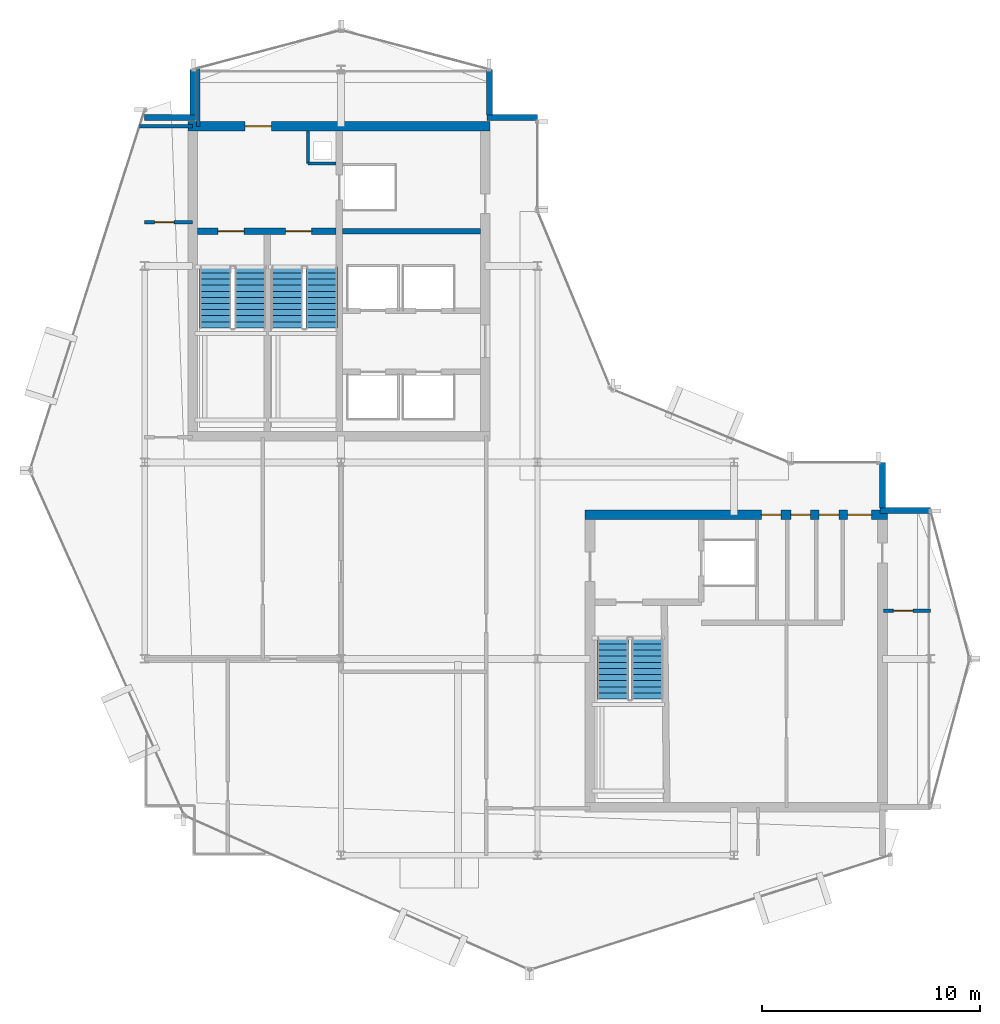
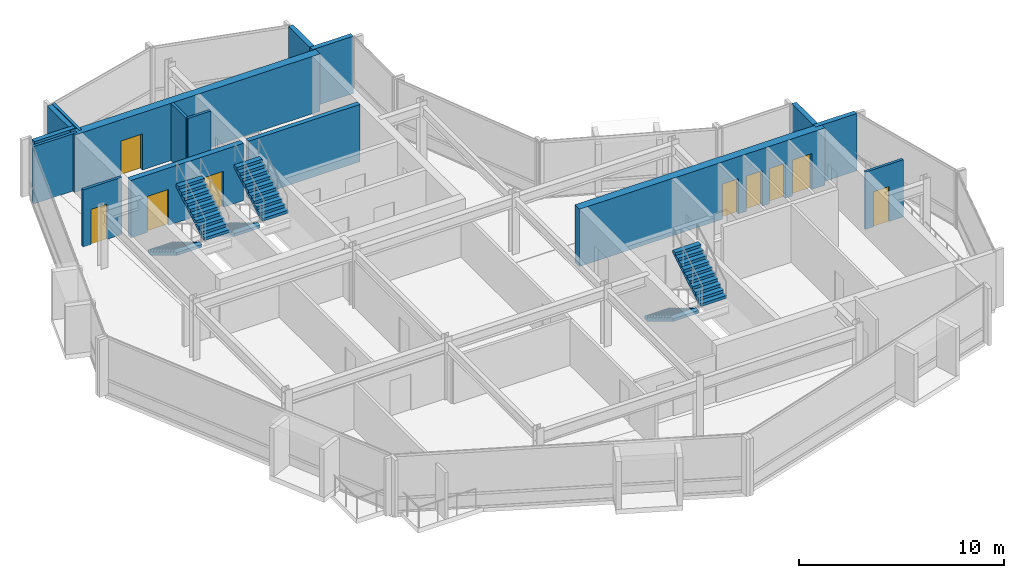
# One storey, part 15 of 19: 16 walls, 9 doors, 6 stair flights, 9 openings, 3 elements without a shape of their own.
"""IFC4 building model written with IfcOpenShell, lengths in metres."""

from ifc_helpers import new_model, si_unit, direction, frame, frame_2d, origin, place, context, subcontext, project, spatial, polyline, rectangle, outline, extrude, material, layer, layer_set, type_object, element, fill, aggregate, save


model = new_model("IFC4")

# Units and contexts
model_context = context("Model", 3, precision=1e-05, world=origin(), true_north=direction((0.0, 1.0)))
body_context = subcontext(model_context, "Body", "Model", "MODEL_VIEW")
ifc_project = project(units=[si_unit("LENGTHUNIT", "METRE"), si_unit("AREAUNIT", "SQUARE_METRE"), si_unit("VOLUMEUNIT", "CUBIC_METRE"), si_unit("PLANEANGLEUNIT", "RADIAN"), si_unit("MASSUNIT", "GRAM", prefix="KILO")], contexts=[model_context])

# Site, building, storey
site_placement = place(None, origin())
site = spatial("IfcSite", under=ifc_project, at=site_placement, CompositionType="ELEMENT")
building_placement = place(site_placement, origin())
building = spatial("IfcBuilding", under=site, at=building_placement, Name="Solvaryn Broadcast Tower", CompositionType="ELEMENT")
storey_placement = place(building_placement, frame((0.0, 0.0, 274.10009765625)))
storey = spatial("IfcBuildingStorey", under=building, at=storey_placement, Name="L69", CompositionType="ELEMENT", Elevation=274.10009765625)

# Wall, opening, door
ifc_material_1 = material(Name="Concrete f'c 70 MPa", Category="concrete")
ifc_layer_1 = layer(ifc_material_1, 0.449951171875)
ifc_layer_set_1 = layer_set([ifc_layer_1], Name="CW-SHEAR-450")
wall_type_1 = type_object("IfcWallType", Name="CW-SHEAR-450", PredefinedType="SHEAR", material=ifc_layer_set_1)
wall_1_placement = place(storey_placement, frame((24.824951171875, 42.39990234375, 0.0), z_axis=(0.0, 0.0, 1.0), x_axis=(-1.0, 0.0, 0.0)))
wall_1 = element("IfcWall", 1, at=wall_1_placement, inside=storey, type_object=wall_type_1, Name="L69 West Core North Shear Wall", PredefinedType="SHEAR", context=body_context, shape_type="SweptSolid", body=[
    extrude(rectangle(XDim=13.849853515625, YDim=0.449951171875, at=frame_2d((6.9248046875, 0.0))), origin(), (0.0, 0.0, 1.0), 3.419921875),
])
opening_1_placement = place(wall_1_placement, frame((10.02490234375, 0.0, 0.0)))
opening_1 = element("IfcOpeningElement", 2, at=opening_1_placement, cuts=wall_1, Name="Opening FD90A", PredefinedType="OPENING", context=body_context, shape_type="SweptSolid", body=[
    extrude(rectangle(XDim=1.199951171875, YDim=2.14990234375, at=frame_2d((0.60009765625, 1.074951171875))), frame((0.0, 0.235107421875, 0.0), z_axis=(0.0, -1.0, 0.0), x_axis=(1.0, 0.0, 0.0)), (0.0, 0.0, 1.0), 0.469970703125),
])
ifc_material_2 = material(Name="Flush Acoustic Steel and Timber Door Assembly", Category="steel")
door_type_1 = type_object("IfcDoorType", Name="FD90-STAIR-1200X2150", OperationType="NOTDEFINED", PredefinedType="DOOR", material=ifc_material_2)
door_1_placement = place(opening_1_placement, origin())
door_1 = element("IfcDoor", 3, at=door_1_placement, inside=storey, type_object=door_type_1, Name="L69 West FSAE Lobby Corridor Door", OperationType="SINGLE_SWING_LEFT", OverallHeight=2.14990234375, OverallWidth=1.199951171875, PredefinedType="DOOR", context=body_context, shape_type="SweptSolid", body=[
    extrude(rectangle(XDim=1.199951171875, YDim=2.14990234375, at=frame_2d((0.60009765625, 1.074951171875))), frame((0.0, 0.02490234375, 0.0), z_axis=(0.0, -1.0, 0.0), x_axis=(1.0, 0.0, 0.0)), (0.0, 0.0, 1.0), 0.050048828125),
])
fill(opening_1, door_1)

# Wall, openings, doors
wall_2_placement = place(storey_placement, frame((43.02490234375, 24.60009765625, 0.0), z_axis=(0.0, 0.0, 1.0), x_axis=(-1.0, 0.0, 0.0)))
wall_2 = element("IfcWall", 4, at=wall_2_placement, inside=storey, type_object=wall_type_1, Name="L69 East Core North Shear Wall", PredefinedType="SHEAR", context=body_context, shape_type="SweptSolid", body=[
    extrude(rectangle(XDim=13.849853515625, YDim=0.449951171875, at=frame_2d((6.9248046875, 0.0))), origin(), (0.0, 0.0, 1.0), 3.419921875),
])
opening_2_placement = place(wall_2_placement, frame((0.72509765625, 0.0, 0.0)))
opening_2 = element("IfcOpeningElement", 5, at=opening_2_placement, cuts=wall_2, Name="Opening FD90C", PredefinedType="OPENING", context=body_context, shape_type="SweptSolid", body=[
    extrude(rectangle(XDim=1.10009765625, YDim=2.14990234375, at=frame_2d((0.550048828125, 1.074951171875))), frame((0.0, 0.235107421875, 0.0), z_axis=(0.0, -1.0, 0.0), x_axis=(1.0, 0.0, 0.0)), (0.0, 0.0, 1.0), 0.469970703125),
])
opening_3_placement = place(wall_2_placement, frame((2.22509765625, 0.0, 0.0)))
opening_3 = element("IfcOpeningElement", 6, at=opening_3_placement, cuts=wall_2, Name="Opening FD60C", PredefinedType="OPENING", context=body_context, shape_type="SweptSolid", body=[
    extrude(rectangle(XDim=0.89990234375, YDim=2.10009765625, at=frame_2d((0.449951171875, 1.050048828125))), frame((0.0, 0.235107421875, 0.0), z_axis=(0.0, -1.0, 0.0), x_axis=(1.0, 0.0, 0.0)), (0.0, 0.0, 1.0), 0.469970703125),
])
opening_4_placement = place(wall_2_placement, frame((3.52490234375, 0.0, 0.0)))
opening_4 = element("IfcOpeningElement", 7, at=opening_4_placement, cuts=wall_2, Name="Opening FD60C", PredefinedType="OPENING", context=body_context, shape_type="SweptSolid", body=[
    extrude(rectangle(XDim=0.89990234375, YDim=2.10009765625, at=frame_2d((0.449951171875, 1.050048828125))), frame((0.0, 0.235107421875, 0.0), z_axis=(0.0, -1.0, 0.0), x_axis=(1.0, 0.0, 0.0)), (0.0, 0.0, 1.0), 0.469970703125),
])
opening_5_placement = place(wall_2_placement, frame((4.875, 0.0, 0.0)))
opening_5 = element("IfcOpeningElement", 8, at=opening_5_placement, cuts=wall_2, Name="Opening FD60C", PredefinedType="OPENING", context=body_context, shape_type="SweptSolid", body=[
    extrude(rectangle(XDim=0.89990234375, YDim=2.10009765625, at=frame_2d((0.449951171875, 1.050048828125))), frame((0.0, 0.235107421875, 0.0), z_axis=(0.0, -1.0, 0.0), x_axis=(1.0, 0.0, 0.0)), (0.0, 0.0, 1.0), 0.469970703125),
])
ifc_material_3 = material(Name="Flush Acoustic Steel and Timber Door Assembly", Category="steel")
door_type_2 = type_object("IfcDoorType", Name="FD60-SERV-900X2100", OperationType="NOTDEFINED", PredefinedType="DOOR", material=ifc_material_3)
door_2_placement = place(opening_3_placement, origin())
door_2 = element("IfcDoor", 9, at=door_2_placement, inside=storey, type_object=door_type_2, Name="L69 Core Wellness Room Door", OperationType="SINGLE_SWING_RIGHT", OverallHeight=2.10009765625, OverallWidth=0.89990234375, PredefinedType="DOOR", context=body_context, shape_type="SweptSolid", body=[
    extrude(rectangle(XDim=0.89990234375, YDim=2.10009765625, at=frame_2d((0.449951171875, 1.050048828125))), frame((0.0, 0.02490234375, 0.0), z_axis=(0.0, -1.0, 0.0), x_axis=(1.0, 0.0, 0.0)), (0.0, 0.0, 1.0), 0.050048828125),
])
fill(opening_3, door_2)
door_3_placement = place(opening_4_placement, origin())
door_3 = element("IfcDoor", 10, at=door_3_placement, inside=storey, type_object=door_type_2, Name="L69 Staff Restroom Door", OperationType="SINGLE_SWING_LEFT", OverallHeight=2.10009765625, OverallWidth=0.89990234375, PredefinedType="DOOR", context=body_context, shape_type="SweptSolid", body=[
    extrude(rectangle(XDim=0.89990234375, YDim=2.10009765625, at=frame_2d((0.449951171875, 1.050048828125))), frame((0.0, 0.02490234375, 0.0), z_axis=(0.0, -1.0, 0.0), x_axis=(1.0, 0.0, 0.0)), (0.0, 0.0, 1.0), 0.050048828125),
])
fill(opening_4, door_3)
door_4_placement = place(opening_5_placement, origin())
door_4 = element("IfcDoor", 11, at=door_4_placement, inside=storey, type_object=door_type_2, Name="L69 Accessible WC Door", OperationType="SINGLE_SWING_RIGHT", OverallHeight=2.10009765625, OverallWidth=0.89990234375, PredefinedType="DOOR", context=body_context, shape_type="SweptSolid", body=[
    extrude(rectangle(XDim=0.89990234375, YDim=2.10009765625, at=frame_2d((0.449951171875, 1.050048828125))), frame((0.0, 0.02490234375, 0.0), z_axis=(0.0, -1.0, 0.0), x_axis=(1.0, 0.0, 0.0)), (0.0, 0.0, 1.0), 0.050048828125),
])
fill(opening_5, door_4)
ifc_material_4 = material(Name="Flush Acoustic Steel and Timber Door Assembly", Category="steel")
door_type_3 = type_object("IfcDoorType", Name="FD90-PLANT-1100X2150", OperationType="NOTDEFINED", PredefinedType="DOOR", material=ifc_material_4)
door_5_placement = place(opening_2_placement, origin())
door_5 = element("IfcDoor", 12, at=door_5_placement, inside=storey, type_object=door_type_3, Name="L69 East Core Lobby Corridor Door", OperationType="SINGLE_SWING_LEFT", OverallHeight=2.14990234375, OverallWidth=1.10009765625, PredefinedType="DOOR", context=body_context, shape_type="SweptSolid", body=[
    extrude(rectangle(XDim=1.10009765625, YDim=2.14990234375, at=frame_2d((0.550048828125, 1.074951171875))), frame((0.0, 0.02490234375, 0.0), z_axis=(0.0, -1.0, 0.0), x_axis=(1.0, 0.0, 0.0)), (0.0, 0.0, 1.0), 0.050048828125),
])
fill(opening_2, door_5)

# Walls
ifc_material_5 = material(Name="Concrete f'c 50 MPa", Category="concrete")
ifc_layer_2 = layer(ifc_material_5, 0.260009765625)
ifc_layer_set_2 = layer_set([ifc_layer_2], Name="EW-PIER-260")
wall_type_2 = type_object("IfcWallType", Name="EW-PIER-260", PredefinedType="SOLIDWALL", material=ifc_layer_set_2)
wall_3_placement = place(storey_placement, frame((9.0, 42.800048828125, 0.0), z_axis=(0.0, 0.0, 1.0), x_axis=(1.0, 0.0, 0.0)))
element("IfcWall", 13, at=wall_3_placement, inside=storey, type_object=wall_type_2, Name="L69 Notched Corner Pier Wall NNW1", PredefinedType="SOLIDWALL", context=body_context, shape_type="SweptSolid", body=[
    extrude(rectangle(XDim=2.320068359375, YDim=0.260009765625, at=frame_2d((1.16015625, 0.0))), origin(), (0.0, 0.0, 1.0), 3.419921875),
])
for number, where, z_axis, x_axis, name in (
    (14, (11.199951171875, 42.919921875, 0.0), (0.0, 0.0, 1.0), (0.0, 1.0, 0.0), "L69 Notched Corner Pier Wall NNW2"),
    (15, (24.800048828125, 45.0, 0.0), (0.0, 0.0, 1.0), (0.0, -1.0, 0.0), "L69 Notched Corner Pier Wall NNE1"),
):
    element("IfcWall", number, at=place(storey_placement, frame(where, z_axis=z_axis, x_axis=x_axis)), inside=storey, type_object=wall_type_2, Name=name, PredefinedType="SOLIDWALL", context=body_context, shape_type="SweptSolid", body=[
        extrude(rectangle(XDim=2.080078125, YDim=0.260009765625, at=frame_2d((1.0400390625, 0.0))), origin(), (0.0, 0.0, 1.0), 3.419921875),
    ])
for number, where, z_axis, x_axis, name in (
    (16, (24.679931640625, 42.800048828125, 0.0), (0.0, 0.0, 1.0), (1.0, 0.0, 0.0), "L69 Notched Corner Pier Wall NNE2"),
    (17, (45.0, 24.800048828125, 0.0), (0.0, 0.0, 1.0), (-1.0, 0.0, 0.0), "L69 Notched Corner Pier Wall NEE1"),
):
    element("IfcWall", number, at=place(storey_placement, frame(where, z_axis=z_axis, x_axis=x_axis)), inside=storey, type_object=wall_type_2, Name=name, PredefinedType="SOLIDWALL", context=body_context, shape_type="SweptSolid", body=[
        extrude(rectangle(XDim=2.320068359375, YDim=0.260009765625, at=frame_2d((1.16015625, 0.0))), origin(), (0.0, 0.0, 1.0), 3.419921875),
    ])
wall_4_placement = place(storey_placement, frame((42.800048828125, 24.919921875, 0.0), z_axis=(0.0, 0.0, 1.0), x_axis=(0.0, 1.0, 0.0)))
element("IfcWall", 18, at=wall_4_placement, inside=storey, type_object=wall_type_2, Name="L69 Notched Corner Pier Wall NEE2", PredefinedType="SOLIDWALL", context=body_context, shape_type="SweptSolid", body=[
    extrude(rectangle(XDim=2.080078125, YDim=0.260009765625, at=frame_2d((1.0400390625, 0.0))), origin(), (0.0, 0.0, 1.0), 3.419921875),
])
ifc_material_6 = material(Name="Metal-Stud Service Core Partition")
ifc_layer_3 = layer(ifc_material_6, 0.14990234375)
ifc_layer_set_3 = layer_set([ifc_layer_3], Name="IW-PART-150")
wall_type_3 = type_object("IfcWallType", Name="IW-PART-150", PredefinedType="PARTITIONING", material=ifc_layer_set_3)
wall_5_placement = place(storey_placement, frame((16.47998046875, 40.699951171875, 0.0), z_axis=(0.0, 0.0, 1.0), x_axis=(1.0, 0.0, 0.0)))
element("IfcWall", 19, at=wall_5_placement, inside=storey, type_object=wall_type_3, Name="L69 West Core Riser Shaft South Wall", PredefinedType="PARTITIONING", context=body_context, shape_type="SweptSolid", body=[
    extrude(rectangle(XDim=1.2900390625, YDim=0.14990234375, at=frame_2d((0.64501953125, 0.0))), origin(), (0.0, 0.0, 1.0), 3.419921875),
])
wall_6_placement = place(storey_placement, frame((16.47998046875, 40.699951171875, 0.0), z_axis=(0.0, 0.0, 1.0), x_axis=(0.0, 1.0, 0.0)))
element("IfcWall", 20, at=wall_6_placement, inside=storey, type_object=wall_type_3, Name="L69 West Core Riser Shaft West Wall", PredefinedType="PARTITIONING", context=body_context, shape_type="SweptSolid", body=[
    extrude(rectangle(XDim=1.47509765625, YDim=0.14990234375, at=frame_2d((0.737548828125, 0.0))), origin(), (0.0, 0.0, 1.0), 3.419921875),
])

# Wall, opening, door
wall_7_placement = place(storey_placement, frame((9.0, 38.0, 0.0), z_axis=(0.0, 0.0, 1.0), x_axis=(1.0, 0.0, 0.0)))
wall_7 = element("IfcWall", 21, at=wall_7_placement, inside=storey, type_object=wall_type_3, Name="L69 Interior Partition IW-L69-WM-M", PredefinedType="PARTITIONING", context=body_context, shape_type="SweptSolid", body=[
    extrude(rectangle(XDim=2.199951171875, YDim=0.14990234375, at=frame_2d((1.10009765625, 0.0))), origin(), (0.0, 0.0, 1.0), 3.419921875),
])
opening_6_placement = place(wall_7_placement, frame((0.449951171875, 0.0, 0.0)))
opening_6 = element("IfcOpeningElement", 22, at=opening_6_placement, cuts=wall_7, Name="Opening FD60C", PredefinedType="OPENING", context=body_context, shape_type="SweptSolid", body=[
    extrude(rectangle(XDim=0.89990234375, YDim=2.10009765625, at=frame_2d((0.449951171875, 1.050048828125))), frame((0.0, 0.0849609375, 0.0), z_axis=(0.0, -1.0, 0.0), x_axis=(1.0, 0.0, 0.0)), (0.0, 0.0, 1.0), 0.169921875),
])
door_6_placement = place(opening_6_placement, origin())
door_6 = element("IfcDoor", 23, at=door_6_placement, inside=storey, type_object=door_type_2, Name="L69 Door DR-L69-WM1", OperationType="SINGLE_SWING_LEFT", OverallHeight=2.10009765625, OverallWidth=0.89990234375, PredefinedType="DOOR", context=body_context, shape_type="SweptSolid", body=[
    extrude(rectangle(XDim=0.89990234375, YDim=2.10009765625, at=frame_2d((0.449951171875, 1.050048828125))), frame((0.0, 0.02490234375, 0.0), z_axis=(0.0, -1.0, 0.0), x_axis=(1.0, 0.0, 0.0)), (0.0, 0.0, 1.0), 0.050048828125),
])
fill(opening_6, door_6)

wall_8_placement = place(storey_placement, frame((42.85009765625, 20.199951171875, 0.0), z_axis=(0.0, 0.0, 1.0), x_axis=(1.0, 0.0, 0.0)))
wall_8 = element("IfcWall", 24, at=wall_8_placement, inside=storey, type_object=wall_type_3, Name="L69 Interior Partition IW-L69-E4M", PredefinedType="PARTITIONING", context=body_context, shape_type="SweptSolid", body=[
    extrude(rectangle(XDim=2.14990234375, YDim=0.14990234375, at=frame_2d((1.074951171875, 0.0))), origin(), (0.0, 0.0, 1.0), 3.419921875),
])
opening_7_placement = place(wall_8_placement, frame((0.449951171875, 0.0, 0.0)))
opening_7 = element("IfcOpeningElement", 25, at=opening_7_placement, cuts=wall_8, Name="Opening FD60C", PredefinedType="OPENING", context=body_context, shape_type="SweptSolid", body=[
    extrude(rectangle(XDim=0.89990234375, YDim=2.10009765625, at=frame_2d((0.449951171875, 1.050048828125))), frame((0.0, 0.0849609375, 0.0), z_axis=(0.0, -1.0, 0.0), x_axis=(1.0, 0.0, 0.0)), (0.0, 0.0, 1.0), 0.169921875),
])
door_7_placement = place(opening_7_placement, origin())
door_7 = element("IfcDoor", 26, at=door_7_placement, inside=storey, type_object=door_type_2, Name="L69 Door DR-L69-E4M", OperationType="SINGLE_SWING_RIGHT", OverallHeight=2.10009765625, OverallWidth=0.89990234375, PredefinedType="DOOR", context=body_context, shape_type="SweptSolid", body=[
    extrude(rectangle(XDim=0.89990234375, YDim=2.10009765625, at=frame_2d((0.449951171875, 1.050048828125))), frame((0.0, 0.02490234375, 0.0), z_axis=(0.0, -1.0, 0.0), x_axis=(1.0, 0.0, 0.0)), (0.0, 0.0, 1.0), 0.050048828125),
])
fill(opening_7, door_7)

# Walls
ifc_material_7 = material(Name="Metal-Stud Gypsum Office Partition")
ifc_layer_4 = layer(ifc_material_7, 0.159912109375)
ifc_layer_set_4 = layer_set([ifc_layer_4], Name="IW-PART-160")
wall_type_4 = type_object("IfcWallType", Name="IW-PART-160", PredefinedType="PARTITIONING", material=ifc_layer_set_4)
wall_9_placement = place(storey_placement, frame((8.760986328125, 42.39990234375, 0.0), z_axis=(0.0, 0.0, 1.0), x_axis=(1.0, 0.0, 0.0)))
element("IfcWall", 27, at=wall_9_placement, inside=storey, type_object=wall_type_4, Name="L69 Interior Partition IW-L69-WM-N", PredefinedType="PARTITIONING", context=body_context, shape_type="SweptSolid", body=[
    extrude(rectangle(XDim=2.43896484375, YDim=0.159912109375, at=frame_2d((1.219482421875, 0.0))), origin(), (0.0, 0.0, 1.0), 3.419921875),
])
wall_10_placement = place(storey_placement, frame((11.449951171875, 42.39990234375, 0.0), z_axis=(0.0, 0.0, 1.0), x_axis=(0.0, 1.0, 0.0)))
element("IfcWall", 28, at=wall_10_placement, inside=storey, type_object=wall_type_4, Name="L69 Interior Partition IW-L69-WM-E", PredefinedType="PARTITIONING", context=body_context, shape_type="SweptSolid", body=[
    extrude(rectangle(XDim=2.666015625, YDim=0.159912109375, at=frame_2d((1.3330078125, 0.0))), origin(), (0.0, 0.0, 1.0), 3.419921875),
])
ifc_material_8 = material(Name="Concrete f'c 60 MPa", Category="concrete")
ifc_layer_5 = layer(ifc_material_8, 0.25)
ifc_layer_set_5 = layer_set([ifc_layer_5], Name="SW-SHAFT-250")
wall_type_5 = type_object("IfcWallType", Name="SW-SHAFT-250", PredefinedType="PARTITIONING", material=ifc_layer_set_5)
wall_11_placement = place(storey_placement, frame((18.070068359375, 37.60009765625, 0.0), z_axis=(0.0, 0.0, 1.0), x_axis=(1.0, 0.0, 0.0)))
element("IfcWall", 29, at=wall_11_placement, inside=storey, type_object=wall_type_5, Name="L69 West Core FSAE Hoistway Front Wall", PredefinedType="PARTITIONING", context=body_context, shape_type="SweptSolid", body=[
    extrude(rectangle(XDim=6.304931640625, YDim=0.25, at=frame_2d((3.15234375, 0.0))), origin(), (0.0, 0.0, 1.0), 3.419921875),
])

# Wall, openings, doors
ifc_material_9 = material(Name="Concrete f'c 70 MPa", Category="concrete")
ifc_layer_6 = layer(ifc_material_9, 0.300048828125)
ifc_layer_set_6 = layer_set([ifc_layer_6], Name="SW-SHAFT-300")
wall_type_6 = type_object("IfcWallType", Name="SW-SHAFT-300", PredefinedType="SHEAR", material=ifc_layer_set_6)
wall_12_placement = place(storey_placement, frame((17.77001953125, 37.60009765625, 0.0), z_axis=(0.0, 0.0, 1.0), x_axis=(-1.0, 0.0, 0.0)))
wall_12 = element("IfcWall", 30, at=wall_12_placement, inside=storey, type_object=wall_type_6, Name="L69 West Core FSAE Lobby South Wall", PredefinedType="SHEAR", context=body_context, shape_type="SweptSolid", body=[
    extrude(rectangle(XDim=6.344970703125, YDim=0.300048828125, at=frame_2d((3.17236328125, 0.0))), origin(), (0.0, 0.0, 1.0), 3.419921875),
])
opening_8_placement = place(wall_12_placement, frame((4.219970703125, 0.0, 0.0)))
opening_8 = element("IfcOpeningElement", 31, at=opening_8_placement, cuts=wall_12, Name="Opening FD90A", PredefinedType="OPENING", context=body_context, shape_type="SweptSolid", body=[
    extrude(rectangle(XDim=1.199951171875, YDim=2.14990234375, at=frame_2d((0.60009765625, 1.074951171875))), frame((0.0, 0.159912109375, 0.0), z_axis=(0.0, -1.0, 0.0), x_axis=(1.0, 0.0, 0.0)), (0.0, 0.0, 1.0), 0.320068359375),
])
opening_9_placement = place(wall_12_placement, frame((1.1201171875, 0.0, 0.0)))
opening_9 = element("IfcOpeningElement", 32, at=opening_9_placement, cuts=wall_12, Name="Opening FD90A", PredefinedType="OPENING", context=body_context, shape_type="SweptSolid", body=[
    extrude(rectangle(XDim=1.199951171875, YDim=2.14990234375, at=frame_2d((0.60009765625, 1.074951171875))), frame((0.0, 0.159912109375, 0.0), z_axis=(0.0, -1.0, 0.0), x_axis=(1.0, 0.0, 0.0)), (0.0, 0.0, 1.0), 0.320068359375),
])
door_8_placement = place(opening_8_placement, origin())
door_8 = element("IfcDoor", 33, at=door_8_placement, inside=storey, type_object=door_type_1, Name="L69 Stair 1 Fire Door", OperationType="SINGLE_SWING_LEFT", OverallHeight=2.14990234375, OverallWidth=1.199951171875, PredefinedType="DOOR", context=body_context, shape_type="SweptSolid", body=[
    extrude(rectangle(XDim=1.199951171875, YDim=2.14990234375, at=frame_2d((0.60009765625, 1.074951171875))), frame((0.0, 0.02490234375, 0.0), z_axis=(0.0, -1.0, 0.0), x_axis=(1.0, 0.0, 0.0)), (0.0, 0.0, 1.0), 0.050048828125),
])
fill(opening_8, door_8)
door_9_placement = place(opening_9_placement, origin())
door_9 = element("IfcDoor", 34, at=door_9_placement, inside=storey, type_object=door_type_1, Name="L69 Stair 2 Fire Door", OperationType="SINGLE_SWING_RIGHT", OverallHeight=2.14990234375, OverallWidth=1.199951171875, PredefinedType="DOOR", context=body_context, shape_type="SweptSolid", body=[
    extrude(rectangle(XDim=1.199951171875, YDim=2.14990234375, at=frame_2d((0.60009765625, 1.074951171875))), frame((0.0, 0.02490234375, 0.0), z_axis=(0.0, -1.0, 0.0), x_axis=(1.0, 0.0, 0.0)), (0.0, 0.0, 1.0), 0.050048828125),
])
fill(opening_9, door_9)

# Stair, stair flights
ifc_material_10 = material(Name="Concrete f'c 60 MPa", Category="concrete")
stair_type = type_object("IfcStairType", Name="ST-CORE", PredefinedType="HALF_TURN_STAIR", material=ifc_material_10)
stair_1_placement = place(storey_placement, origin())
stair_1 = element("IfcStair", 35, at=stair_1_placement, inside=storey, type_object=stair_type, Name="L69 ST1", PredefinedType="HALF_TURN_STAIR")
ifc_material_11 = material(Name="Concrete f'c 60 MPa", Category="concrete")
ifc_layer_7 = layer(ifc_material_11, 0.159912109375)
ifc_layer_set_7 = layer_set([ifc_layer_7], Name="SF-CORE")
stair_flight_type = type_object("IfcStairFlightType", Name="SF-CORE", PredefinedType="STRAIGHT", material=ifc_layer_set_7)
stair_flight_1_placement = place(storey_placement, frame((12.239990234375, 35.9599609375, 0.0), z_axis=(0.0, 0.0, 1.0), x_axis=(0.0, -1.0, 0.0)))
stair_flight_1 = element("IfcStairFlight", 36, at=stair_flight_1_placement, type_object=stair_flight_type, Name="ST1 flight 1", NumberOfRisers=11, NumberOfTreads=10, PredefinedType="STRAIGHT", RiserHeight=0.168181818, TreadLength=0.28, context=body_context, shape_type="SweptSolid", body=[
    extrude(outline(polyline([(0.0, 0.0), (0.0, 0.168212890625), (0.280029296875, 0.168212890625), (0.280029296875, 0.33642578125), (0.56005859375, 0.33642578125), (0.56005859375, 0.504638671875), (0.840087890625, 0.504638671875), (0.840087890625, 0.672607421875), (1.1201171875, 0.672607421875), (1.1201171875, 0.8408203125), (1.39990234375, 0.8408203125), (1.39990234375, 1.009033203125), (1.679931640625, 1.009033203125), (1.679931640625, 1.17724609375), (1.9599609375, 1.17724609375), (1.9599609375, 1.345458984375), (2.239990234375, 1.345458984375), (2.239990234375, 1.513671875), (2.52001953125, 1.513671875), (2.52001953125, 1.681884765625), (2.800048828125, 1.681884765625), (2.800048828125, 1.85009765625), (2.800048828125, 1.5068359375), (0.291015625, 0.0), (0.0, 0.0)])), frame((0.0, 0.719970703125, 0.0), z_axis=(0.0, -1.0, 0.0), x_axis=(1.0, 0.0, 0.0)), (0.0, 0.0, 1.0), 1.43994140625),
])
stair_flight_2_placement = place(storey_placement, frame((13.830078125, 33.159912109375, 1.849853515625), z_axis=(0.0, 0.0, 1.0), x_axis=(0.0, 1.0, 0.0)))
stair_flight_2 = element("IfcStairFlight", 37, at=stair_flight_2_placement, type_object=stair_flight_type, Name="ST1 flight 2", NumberOfRisers=11, NumberOfTreads=10, PredefinedType="STRAIGHT", RiserHeight=0.168181818, TreadLength=0.28, context=body_context, shape_type="SweptSolid", body=[
    extrude(outline(polyline([(0.0, 0.0), (0.0, 0.168212890625), (0.280029296875, 0.168212890625), (0.280029296875, 0.33642578125), (0.56005859375, 0.33642578125), (0.56005859375, 0.504638671875), (0.840087890625, 0.504638671875), (0.840087890625, 0.672607421875), (1.1201171875, 0.672607421875), (1.1201171875, 0.8408203125), (1.39990234375, 0.8408203125), (1.39990234375, 1.009033203125), (1.679931640625, 1.009033203125), (1.679931640625, 1.17724609375), (1.9599609375, 1.17724609375), (1.9599609375, 1.345458984375), (2.239990234375, 1.345458984375), (2.239990234375, 1.513671875), (2.52001953125, 1.513671875), (2.52001953125, 1.681884765625), (2.800048828125, 1.681884765625), (2.800048828125, 1.85009765625), (2.800048828125, 1.5068359375), (0.291015625, 0.0), (0.0, 0.0)])), frame((0.0, 0.719970703125, 0.0), z_axis=(0.0, -1.0, 0.0), x_axis=(1.0, 0.0, 0.0)), (0.0, 0.0, 1.0), 1.43994140625),
])
aggregate(stair_1, [stair_flight_1, stair_flight_2])

stair_2_placement = place(storey_placement, origin())
stair_2 = element("IfcStair", 38, at=stair_2_placement, inside=storey, type_object=stair_type, Name="L69 ST2", PredefinedType="HALF_TURN_STAIR")
stair_flight_3_placement = place(storey_placement, frame((15.52001953125, 35.9599609375, 0.0), z_axis=(0.0, 0.0, 1.0), x_axis=(0.0, -1.0, 0.0)))
stair_flight_3 = element("IfcStairFlight", 39, at=stair_flight_3_placement, type_object=stair_flight_type, Name="ST2 flight 1", NumberOfRisers=11, NumberOfTreads=10, PredefinedType="STRAIGHT", RiserHeight=0.168181818, TreadLength=0.28, context=body_context, shape_type="SweptSolid", body=[
    extrude(outline(polyline([(0.0, 0.0), (0.0, 0.168212890625), (0.280029296875, 0.168212890625), (0.280029296875, 0.33642578125), (0.56005859375, 0.33642578125), (0.56005859375, 0.504638671875), (0.840087890625, 0.504638671875), (0.840087890625, 0.672607421875), (1.1201171875, 0.672607421875), (1.1201171875, 0.8408203125), (1.39990234375, 0.8408203125), (1.39990234375, 1.009033203125), (1.679931640625, 1.009033203125), (1.679931640625, 1.17724609375), (1.9599609375, 1.17724609375), (1.9599609375, 1.345458984375), (2.239990234375, 1.345458984375), (2.239990234375, 1.513671875), (2.52001953125, 1.513671875), (2.52001953125, 1.681884765625), (2.800048828125, 1.681884765625), (2.800048828125, 1.85009765625), (2.800048828125, 1.5068359375), (0.291015625, 0.0), (0.0, 0.0)])), frame((0.0, 0.719970703125, 0.0), z_axis=(0.0, -1.0, 0.0), x_axis=(1.0, 0.0, 0.0)), (0.0, 0.0, 1.0), 1.43994140625),
])
stair_flight_4_placement = place(storey_placement, frame((17.110107421875, 33.159912109375, 1.849853515625), z_axis=(0.0, 0.0, 1.0), x_axis=(0.0, 1.0, 0.0)))
stair_flight_4 = element("IfcStairFlight", 40, at=stair_flight_4_placement, type_object=stair_flight_type, Name="ST2 flight 2", NumberOfRisers=11, NumberOfTreads=10, PredefinedType="STRAIGHT", RiserHeight=0.168181818, TreadLength=0.28, context=body_context, shape_type="SweptSolid", body=[
    extrude(outline(polyline([(0.0, 0.0), (0.0, 0.168212890625), (0.280029296875, 0.168212890625), (0.280029296875, 0.33642578125), (0.56005859375, 0.33642578125), (0.56005859375, 0.504638671875), (0.840087890625, 0.504638671875), (0.840087890625, 0.672607421875), (1.1201171875, 0.672607421875), (1.1201171875, 0.8408203125), (1.39990234375, 0.8408203125), (1.39990234375, 1.009033203125), (1.679931640625, 1.009033203125), (1.679931640625, 1.17724609375), (1.9599609375, 1.17724609375), (1.9599609375, 1.345458984375), (2.239990234375, 1.345458984375), (2.239990234375, 1.513671875), (2.52001953125, 1.513671875), (2.52001953125, 1.681884765625), (2.800048828125, 1.681884765625), (2.800048828125, 1.85009765625), (2.800048828125, 1.5068359375), (0.291015625, 0.0), (0.0, 0.0)])), frame((0.0, 0.719970703125, 0.0), z_axis=(0.0, -1.0, 0.0), x_axis=(1.0, 0.0, 0.0)), (0.0, 0.0, 1.0), 1.43994140625),
])
aggregate(stair_2, [stair_flight_3, stair_flight_4])

stair_3_placement = place(storey_placement, origin())
stair_3 = element("IfcStair", 41, at=stair_3_placement, inside=storey, type_object=stair_type, Name="L69 ST3", PredefinedType="HALF_TURN_STAIR")
stair_flight_5_placement = place(storey_placement, frame((30.43994140625, 18.9599609375, 0.0), z_axis=(0.0, 0.0, 1.0), x_axis=(0.0, -1.0, 0.0)))
stair_flight_5 = element("IfcStairFlight", 42, at=stair_flight_5_placement, type_object=stair_flight_type, Name="ST3 flight 1", NumberOfRisers=11, NumberOfTreads=10, PredefinedType="STRAIGHT", RiserHeight=0.168181818, TreadLength=0.28, context=body_context, shape_type="SweptSolid", body=[
    extrude(outline(polyline([(0.0, 0.0), (0.0, 0.168212890625), (0.280029296875, 0.168212890625), (0.280029296875, 0.33642578125), (0.56005859375, 0.33642578125), (0.56005859375, 0.504638671875), (0.840087890625, 0.504638671875), (0.840087890625, 0.672607421875), (1.1201171875, 0.672607421875), (1.1201171875, 0.8408203125), (1.39990234375, 0.8408203125), (1.39990234375, 1.009033203125), (1.679931640625, 1.009033203125), (1.679931640625, 1.17724609375), (1.9599609375, 1.17724609375), (1.9599609375, 1.345458984375), (2.239990234375, 1.345458984375), (2.239990234375, 1.513671875), (2.52001953125, 1.513671875), (2.52001953125, 1.681884765625), (2.800048828125, 1.681884765625), (2.800048828125, 1.85009765625), (2.800048828125, 1.5068359375), (0.291015625, 0.0), (0.0, 0.0)])), frame((0.0, 0.719970703125, 0.0), z_axis=(0.0, -1.0, 0.0), x_axis=(1.0, 0.0, 0.0)), (0.0, 0.0, 1.0), 1.43994140625),
])
stair_flight_6_placement = place(storey_placement, frame((32.030029296875, 16.159912109375, 1.849853515625), z_axis=(0.0, 0.0, 1.0), x_axis=(0.0, 1.0, 0.0)))
stair_flight_6 = element("IfcStairFlight", 43, at=stair_flight_6_placement, type_object=stair_flight_type, Name="ST3 flight 2", NumberOfRisers=11, NumberOfTreads=10, PredefinedType="STRAIGHT", RiserHeight=0.168181818, TreadLength=0.28, context=body_context, shape_type="SweptSolid", body=[
    extrude(outline(polyline([(0.0, 0.0), (0.0, 0.168212890625), (0.280029296875, 0.168212890625), (0.280029296875, 0.33642578125), (0.56005859375, 0.33642578125), (0.56005859375, 0.504638671875), (0.840087890625, 0.504638671875), (0.840087890625, 0.672607421875), (1.1201171875, 0.672607421875), (1.1201171875, 0.8408203125), (1.39990234375, 0.8408203125), (1.39990234375, 1.009033203125), (1.679931640625, 1.009033203125), (1.679931640625, 1.17724609375), (1.9599609375, 1.17724609375), (1.9599609375, 1.345458984375), (2.239990234375, 1.345458984375), (2.239990234375, 1.513671875), (2.52001953125, 1.513671875), (2.52001953125, 1.681884765625), (2.800048828125, 1.681884765625), (2.800048828125, 1.85009765625), (2.800048828125, 1.5068359375), (0.291015625, 0.0), (0.0, 0.0)])), frame((0.0, 0.719970703125, 0.0), z_axis=(0.0, -1.0, 0.0), x_axis=(1.0, 0.0, 0.0)), (0.0, 0.0, 1.0), 1.43994140625),
])
aggregate(stair_3, [stair_flight_5, stair_flight_6])

save(model, "model.ifc")
